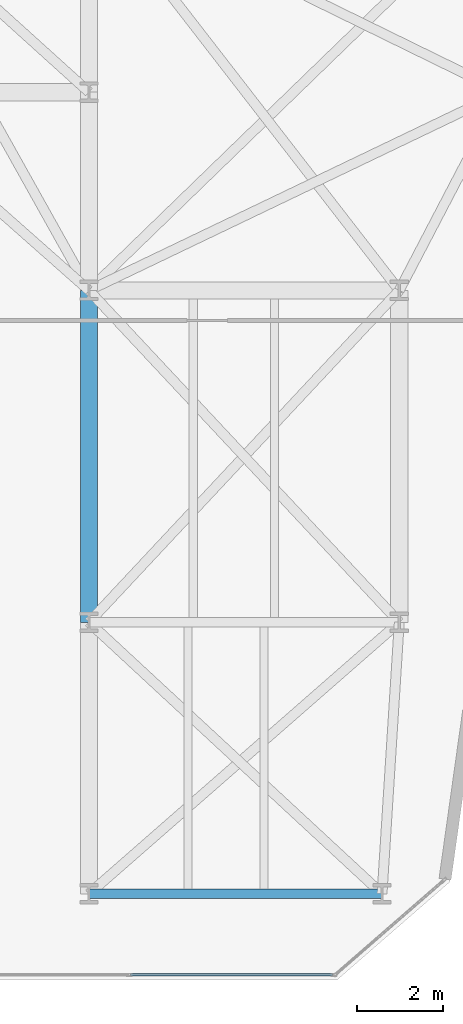
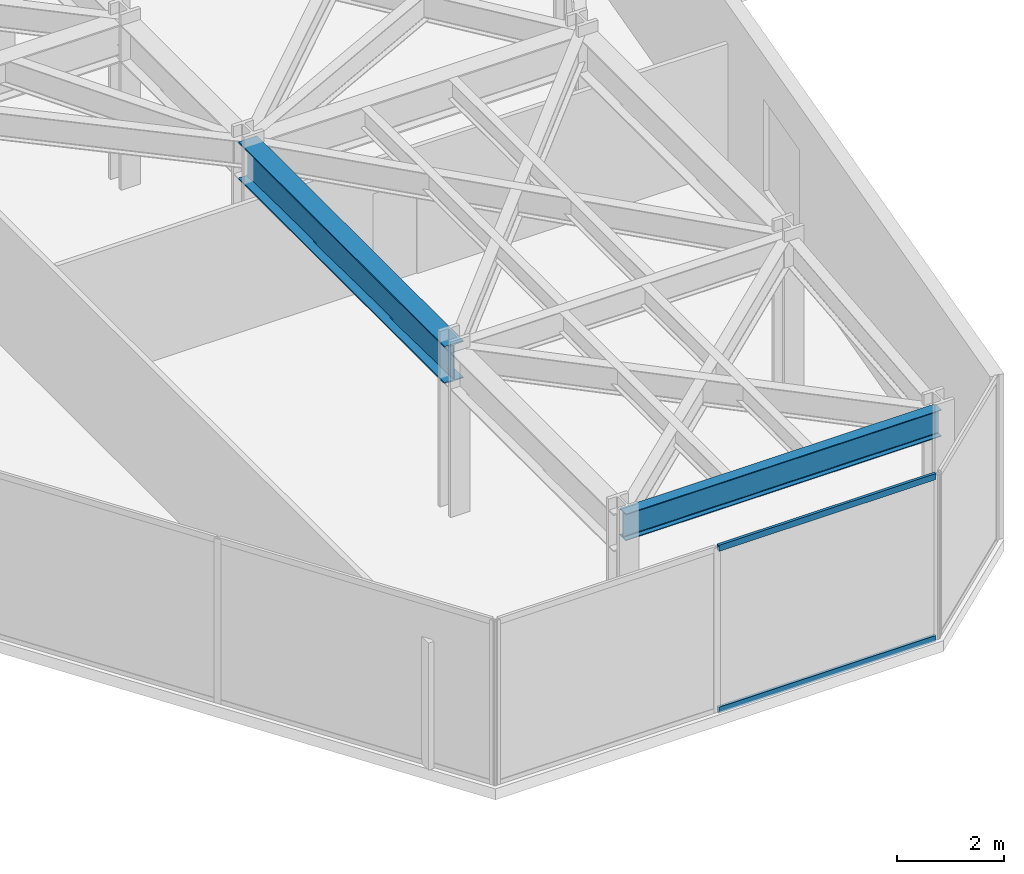
# One storey, part 18 of 26: 2 beams, 2 members, 1 element without a shape of its own.
"""IFC4 building model written with IfcOpenShell, lengths in metres."""

from ifc_helpers import new_model, si_unit, direction, frame, origin, origin_2d, place, context, subcontext, project, spatial, hollow_rectangle, i_section, extrude, material, layer, layer_set, material_profile, profile_set, type_object, element, aggregate, save


model = new_model("IFC4")

# Units and contexts
model_context = context("Model", 3, precision=1e-05, world=origin(), true_north=direction((0.0, 1.0)))
body_context = subcontext(model_context, "Body", "Model", "MODEL_VIEW")
ifc_project = project(units=[si_unit("LENGTHUNIT", "METRE"), si_unit("AREAUNIT", "SQUARE_METRE"), si_unit("VOLUMEUNIT", "CUBIC_METRE"), si_unit("PLANEANGLEUNIT", "RADIAN"), si_unit("MASSUNIT", "GRAM", prefix="KILO")], contexts=[model_context])

# Site, building, storey
site_placement = place(None, origin())
site = spatial("IfcSite", under=ifc_project, at=site_placement, CompositionType="ELEMENT")
building_placement = place(site_placement, origin())
building = spatial("IfcBuilding", under=site, at=building_placement, Name="Kravanh Interchange Tower", CompositionType="ELEMENT")
storey_placement = place(building_placement, frame((0.0, 0.0, 120.0)))
storey = spatial("IfcBuildingStorey", under=building, at=storey_placement, Name="L28", CompositionType="ELEMENT", Elevation=120.0)

# Curtain wall, members
ifc_material_1 = material(Name="Anodised Bronze Aluminium", Category="aluminium")
ifc_layer = layer(ifc_material_1, 0.179931640625)
ifc_layer_set = layer_set([ifc_layer], Name="Unitised Curtain Wall System CW-Z2 Mid Office")
curtain_wall_type = type_object("IfcCurtainWallType", Name="Unitised Curtain Wall System CW-Z2 Mid Office", PredefinedType="NOTDEFINED", material=ifc_layer_set)
curtain_wall_placement = place(storey_placement, origin())
curtain_wall = element("IfcCurtainWall", 1, at=curtain_wall_placement, inside=storey, type_object=curtain_wall_type, Name="L28 Unitised Curtain Wall CW-L28-03", PredefinedType="NOTDEFINED")
ifc_material_2 = material(Name="Anodised Bronze Aluminium", Category="aluminium")
ifc_material_profile_1 = material_profile(ifc_material_2, hollow_rectangle(XDim=0.06005859375, YDim=0.139892578125, WallThickness=0.00390625, at=origin_2d()), Name="ALU60X140X4")
ifc_profile_set_1 = profile_set([ifc_material_profile_1], Name="Anodised Bronze Aluminium")
member_type = type_object("IfcMemberType", Name="Curtain Wall Transom ALU60X140X4 Bronze", PredefinedType="USERDEFINED", material=ifc_profile_set_1)
member_1_placement = place(storey_placement, frame((61.650146484375, 6.320068359375, 0.030029296875), z_axis=(-1.0, 0.0, 0.0), x_axis=(0.0, -1.0, 0.0)))
member_1 = element("IfcMember", 2, at=member_1_placement, type_object=member_type, Name="CW-Z2 transom 1.1", ObjectType="TRANSOM", PredefinedType="USERDEFINED", context=body_context, shape_type="SweptSolid", body=[
    extrude(hollow_rectangle(XDim=0.06005859375, YDim=0.139892578125, WallThickness=0.00390625, at=origin_2d()), origin(), (0.0, 0.0, 1.0), 4.68212890625),
])
member_2_placement = place(storey_placement, frame((61.650146484375, 6.320068359375, 3.719970703125), z_axis=(-1.0, 0.0, 0.0), x_axis=(0.0, -1.0, 0.0)))
member_2 = element("IfcMember", 3, at=member_2_placement, type_object=member_type, Name="CW-Z2 transom 1.2", ObjectType="TRANSOM", PredefinedType="USERDEFINED", context=body_context, shape_type="SweptSolid", body=[
    extrude(hollow_rectangle(XDim=0.06005859375, YDim=0.139892578125, WallThickness=0.00390625, at=origin_2d()), origin(), (0.0, 0.0, 1.0), 4.68212890625),
])
aggregate(curtain_wall, [member_1, member_2])

# Beams
ifc_material_3 = material(Name="Structural Steel S355", Category="steel")
ifc_material_profile_2 = material_profile(ifc_material_3, i_section(OverallWidth=0.39990234375, OverallDepth=0.85595703125, WebThickness=0.018310546875, FlangeThickness=0.029296875, FilletRadius=0.02490234375, at=origin_2d()), Name="W33X201")
ifc_profile_set_2 = profile_set([ifc_material_profile_2], Name="Structural Steel S355")
beam_type_1 = type_object("IfcBeamType", Name="Floor Beam W33X201 Structural Steel S355", PredefinedType="BEAM", material=ifc_profile_set_2)
beam_1_placement = place(storey_placement, frame((56.0, 14.5, 3.322021484375), z_axis=(0.0, 1.0, 0.0), x_axis=(-1.0, 0.0, 0.0)))
element("IfcBeam", 4, at=beam_1_placement, inside=storey, type_object=beam_type_1, Name="L28 Primary Floor Girder 104", PredefinedType="BEAM", context=body_context, shape_type="SweptSolid", body=[
    extrude(i_section(OverallWidth=0.39990234375, OverallDepth=0.85595703125, WebThickness=0.018310546875, FlangeThickness=0.029296875, FilletRadius=0.02490234375, at=origin_2d()), origin(), (0.0, 0.0, 1.0), 7.699951171875),
])
ifc_material_4 = material(Name="Structural Steel S355", Category="steel")
ifc_material_profile_3 = material_profile(ifc_material_4, i_section(OverallWidth=0.22802734375, OverallDepth=0.60791015625, WebThickness=0.01123046875, FlangeThickness=0.017333984375, FilletRadius=0.02197265625, at=origin_2d()), Name="W24X76")
ifc_profile_set_3 = profile_set([ifc_material_profile_3], Name="Structural Steel S355")
beam_type_2 = type_object("IfcBeamType", Name="Floor Spandrel W24X76 Structural Steel S355", PredefinedType="SPANDREL", material=ifc_profile_set_3)
beam_2_placement = place(storey_placement, frame((56.0, 8.199951171875, 3.446044921875), z_axis=(1.0, 0.0, 0.0), x_axis=(0.0, 1.0, 0.0)))
element("IfcBeam", 5, at=beam_2_placement, inside=storey, type_object=beam_type_2, Name="L28 Perimeter Spandrel 96", PredefinedType="SPANDREL", context=body_context, shape_type="SweptSolid", body=[
    extrude(i_section(OverallWidth=0.22802734375, OverallDepth=0.60791015625, WebThickness=0.01123046875, FlangeThickness=0.017333984375, FilletRadius=0.02197265625, at=origin_2d()), origin(), (0.0, 0.0, 1.0), 6.800048828125),
])

save(model, "model.ifc")
